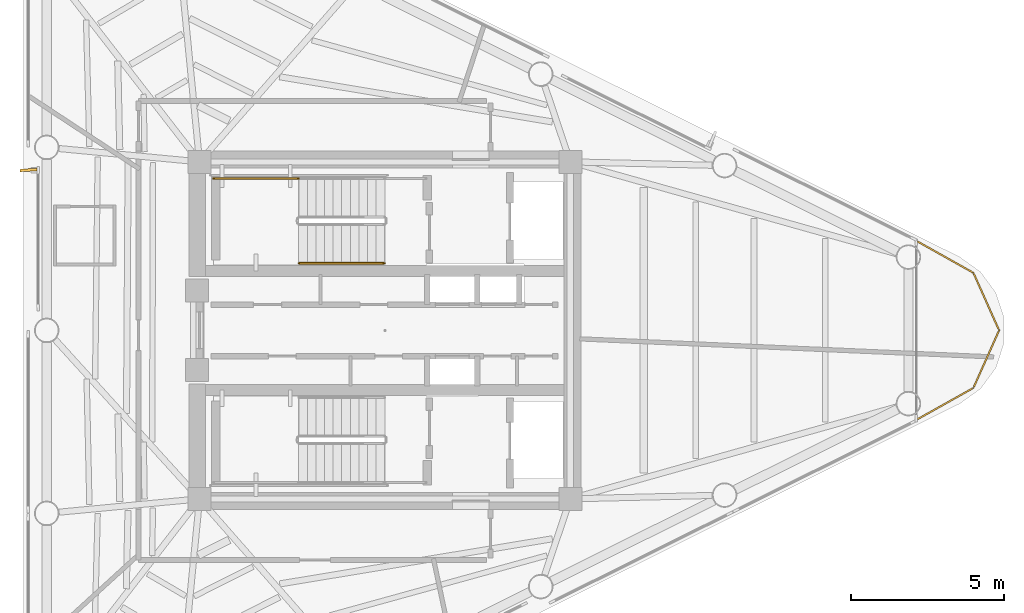
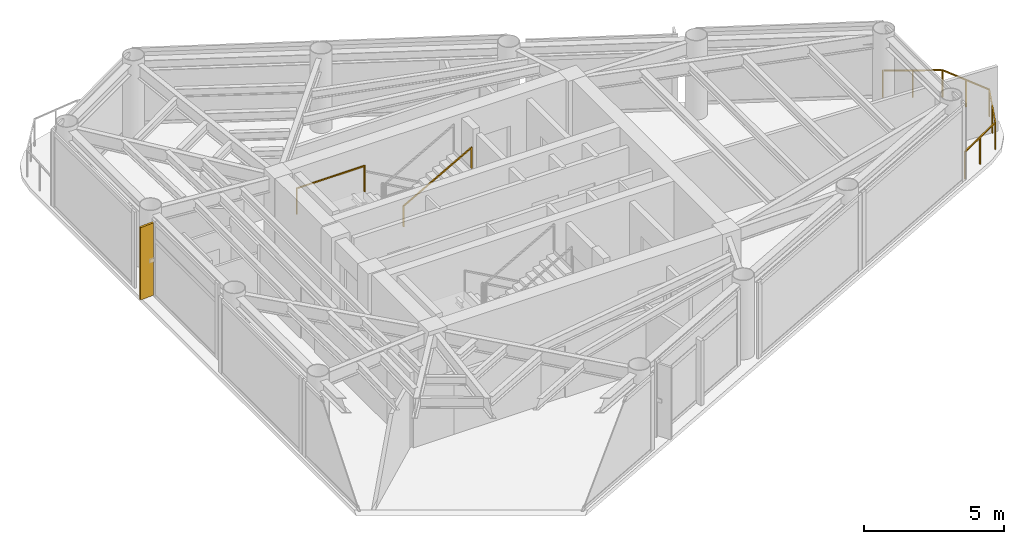
# One storey, part 9 of 10: 3 railings, 1 shading device.
"""IFC4 building model written with IfcOpenShell, lengths in metres."""

from ifc_helpers import new_model, si_unit, direction, frame, origin, origin_2d, place, context, subcontext, project, spatial, rectangle, extrude, source, transform, mapped, material, material_profile, profile_set, type_object, element, save


model = new_model("IFC4")

# Units and contexts
model_context = context("Model", 3, precision=1e-05, world=origin(), true_north=direction((0.0, 1.0)))
body_context = subcontext(model_context, "Body", "Model", "MODEL_VIEW")
ifc_project = project(units=[si_unit("LENGTHUNIT", "METRE"), si_unit("AREAUNIT", "SQUARE_METRE"), si_unit("VOLUMEUNIT", "CUBIC_METRE"), si_unit("PLANEANGLEUNIT", "RADIAN"), si_unit("MASSUNIT", "GRAM", prefix="KILO")], contexts=[model_context])

# Site, building, storey
site_placement = place(None, origin())
site = spatial("IfcSite", under=ifc_project, at=site_placement, CompositionType="ELEMENT")
building_placement = place(site_placement, origin())
building = spatial("IfcBuilding", under=site, at=building_placement, Name="Yunling Apex Tower", CompositionType="ELEMENT")
storey_placement = place(building_placement, frame((0.0, 0.0, 296.75)))
storey = spatial("IfcBuildingStorey", under=building, at=storey_placement, Name="L72", CompositionType="ELEMENT", Elevation=296.75)

# Railings
ifc_material_1 = material(Name="Bronze anodised aluminium", Category="aluminium")
railing_type_1 = type_object("IfcRailingType", Name="RL-BAL-1200", PredefinedType="BALUSTRADE", material=ifc_material_1)
railing_1_placement = place(storey_placement, frame((17.349365234375, 2.919677734375, 0.0)))
element("IfcRailing", 1, at=railing_1_placement, inside=storey, type_object=railing_type_1, Name="RL-CRNSILL-L72-1", PredefinedType="BALUSTRADE", context=body_context, shape_type="SweptSolid", body=[
    extrude(rectangle(XDim=0.0439453125, YDim=0.0439453125, at=origin_2d()), origin(), (0.0, 0.0, 1.0), 1.199951171875),
    extrude(rectangle(XDim=0.0439453125, YDim=0.0439453125, at=origin_2d()), frame((1.85791015625, -1.040771484375, 0.0)), (0.0, 0.0, 1.0), 1.199951171875),
    extrude(rectangle(XDim=0.050048828125, YDim=0.050048828125, at=origin_2d()), frame((0.033447265625, -0.018798828125, 1.1748046875), z_axis=(0.872437584312, -0.488725548216, 0.0), x_axis=(0.488725548216, 0.872437584312, 0.0)), (0.0, 0.0, 1.0), 2.052978515625),
    extrude(rectangle(XDim=0.0439453125, YDim=0.0439453125, at=origin_2d()), frame((0.928955078125, -0.5205078125, 0.0)), (0.0, 0.0, 1.0), 1.14599609375),
    extrude(rectangle(XDim=0.0439453125, YDim=0.0439453125, at=origin_2d()), frame((2.697021484375, -2.919677734375, 0.0)), (0.0, 0.0, 1.0), 1.199951171875),
    extrude(rectangle(XDim=0.050048828125, YDim=0.050048828125, at=origin_2d()), frame((1.87353515625, -1.07568359375, 1.1748046875), z_axis=(0.407778028912, -0.913081091216, 0.0), x_axis=(0.913081091216, 0.407778028912, 0.0)), (0.0, 0.0, 1.0), 1.981201171875),
    extrude(rectangle(XDim=0.0439453125, YDim=0.0439453125, at=origin_2d()), frame((2.27734375, -1.980224609375, 0.0)), (0.0, 0.0, 1.0), 1.14599609375),
    extrude(rectangle(XDim=0.0439453125, YDim=0.0439453125, at=origin_2d()), frame((1.85791015625, -4.798583984375, 0.0)), (0.0, 0.0, 1.0), 1.199951171875),
    extrude(rectangle(XDim=0.050048828125, YDim=0.050048828125, at=origin_2d()), frame((2.681396484375, -2.95458984375, 1.1748046875), z_axis=(-0.407778028912, -0.913081091216, 0.0), x_axis=(0.913081091216, -0.407778028912, 0.0)), (0.0, 0.0, 1.0), 1.981201171875),
    extrude(rectangle(XDim=0.0439453125, YDim=0.0439453125, at=origin_2d()), frame((2.27734375, -3.859130859375, 0.0)), (0.0, 0.0, 1.0), 1.14599609375),
    extrude(rectangle(XDim=0.0439453125, YDim=0.0439453125, at=origin_2d()), frame((0.0, -5.83935546875, 0.0)), (0.0, 0.0, 1.0), 1.199951171875),
    extrude(rectangle(XDim=0.050048828125, YDim=0.050048828125, at=origin_2d()), frame((1.824462890625, -4.8173828125, 1.1748046875), z_axis=(-0.872437584312, -0.488725548216, 0.0), x_axis=(0.488725548216, -0.872437584312, 0.0)), (0.0, 0.0, 1.0), 2.052978515625),
    extrude(rectangle(XDim=0.0439453125, YDim=0.0439453125, at=origin_2d()), frame((0.928955078125, -5.31884765625, 0.0)), (0.0, 0.0, 1.0), 1.14599609375),
])
ifc_material_2 = material(Name="Steel Q355B", Category="steel")
railing_type_2 = type_object("IfcRailingType", Name="RL-GRD-1150", PredefinedType="GUARDRAIL", material=ifc_material_2)
railing_2_placement = place(storey_placement, frame((-2.81005859375, 4.9599609375, 1.72509765625)))
element("IfcRailing", 2, at=railing_2_placement, inside=storey, type_object=railing_type_2, Name="L72 ST-1 stair guard 3", PredefinedType="GUARDRAIL", context=body_context, shape_type="SweptSolid", body=[
    extrude(rectangle(XDim=0.0439453125, YDim=0.0439453125, at=origin_2d()), origin(), (0.0, 0.0, 1.0), 1.14990234375),
    extrude(rectangle(XDim=0.0439453125, YDim=0.0439453125, at=origin_2d()), frame((-2.7900390625, 0.0, 0.0)), (0.0, 0.0, 1.0), 1.14990234375),
    extrude(rectangle(XDim=0.050048828125, YDim=0.050048828125, at=origin_2d()), frame((-0.038330078125, 0.0, 1.125), z_axis=(-1.0, 0.0, 0.0), x_axis=(0.0, -1.0, 0.0)), (0.0, 0.0, 1.0), 2.71337890625),
])
ifc_material_3 = material(Name="Silver anodised aluminium", Category="aluminium")
railing_type_3 = type_object("IfcRailingType", Name="RL-HND-900", PredefinedType="HANDRAIL", material=ifc_material_3)
railing_3_placement = place(storey_placement, frame((-2.81005859375, 2.18994140625, 1.8818359375)))
element("IfcRailing", 3, at=railing_3_placement, inside=storey, type_object=railing_type_3, Name="L72 ST-1 stair handrail 2", PredefinedType="HANDRAIL", context=body_context, shape_type="SweptSolid", body=[
    extrude(rectangle(XDim=0.0439453125, YDim=0.0439453125, at=origin_2d()), origin(), (0.0, 0.0, 1.0), 0.919921875),
    extrude(rectangle(XDim=0.0439453125, YDim=0.0439453125, at=origin_2d()), frame((2.800048828125, 0.0, 1.568115234375)), (0.0, 0.0, 1.0), 0.919921875),
    extrude(rectangle(XDim=0.050048828125, YDim=0.050048828125, at=origin_2d()), frame((0.033447265625, 0.0, 0.91357421875), z_axis=(0.872494340497, 0.0, 0.48862421737), x_axis=(0.0, 1.0, 0.0)), (0.0, 0.0, 1.0), 3.132568359375),
])

# Shading device
ifc_material_profile = material_profile(ifc_material_1, rectangle(XDim=0.0849609375, YDim=0.550048828125, at=origin_2d()))
ifc_profile_set = profile_set([ifc_material_profile], Name="Bronze anodised aluminium")
shading_device_type = type_object("IfcShadingDeviceType", Name="FN-BRZ-3", PredefinedType="USERDEFINED", material=ifc_profile_set)
shared_shape = source(origin(), body_context, "Body", "SweptSolid", [
    extrude(rectangle(XDim=0.0849609375, YDim=0.550048828125, at=origin_2d()), origin(), (0.0, 0.0, 1.0), 3.14990234375),
])
shading_device_placement = place(storey_placement, frame((-11.63232421875, 5.232666015625, 0.06005859375), z_axis=(0.0, 0.0, 1.0), x_axis=(0.06540312923, -0.997858923239, 0.0)))
element("IfcShadingDevice", 4, at=shading_device_placement, inside=storey, type_object=shading_device_type, Name="CW-L72-F3-B2-FIN-01", ObjectType="FIN", PredefinedType="USERDEFINED", context=body_context, shape_type="MappedRepresentation", body=[
    mapped(shared_shape, transform((0.0, 0.0, 0.0), scale=1.0)),
])

save(model, "model.ifc")
